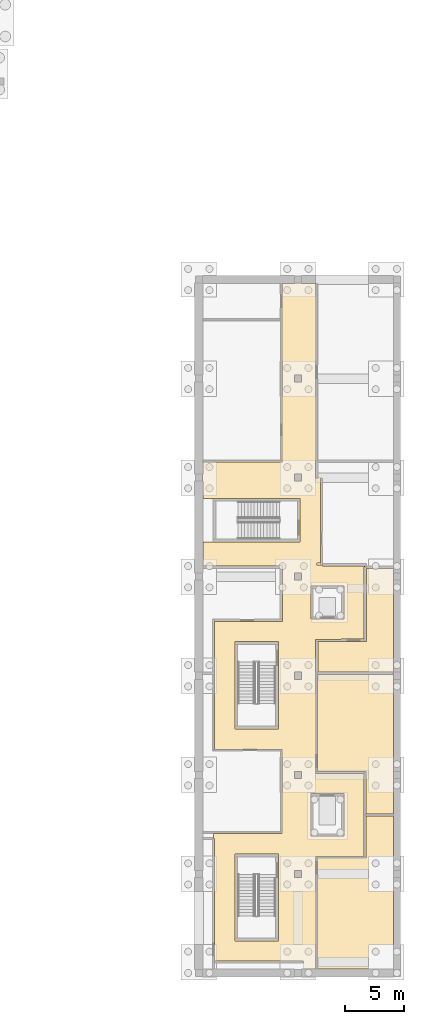
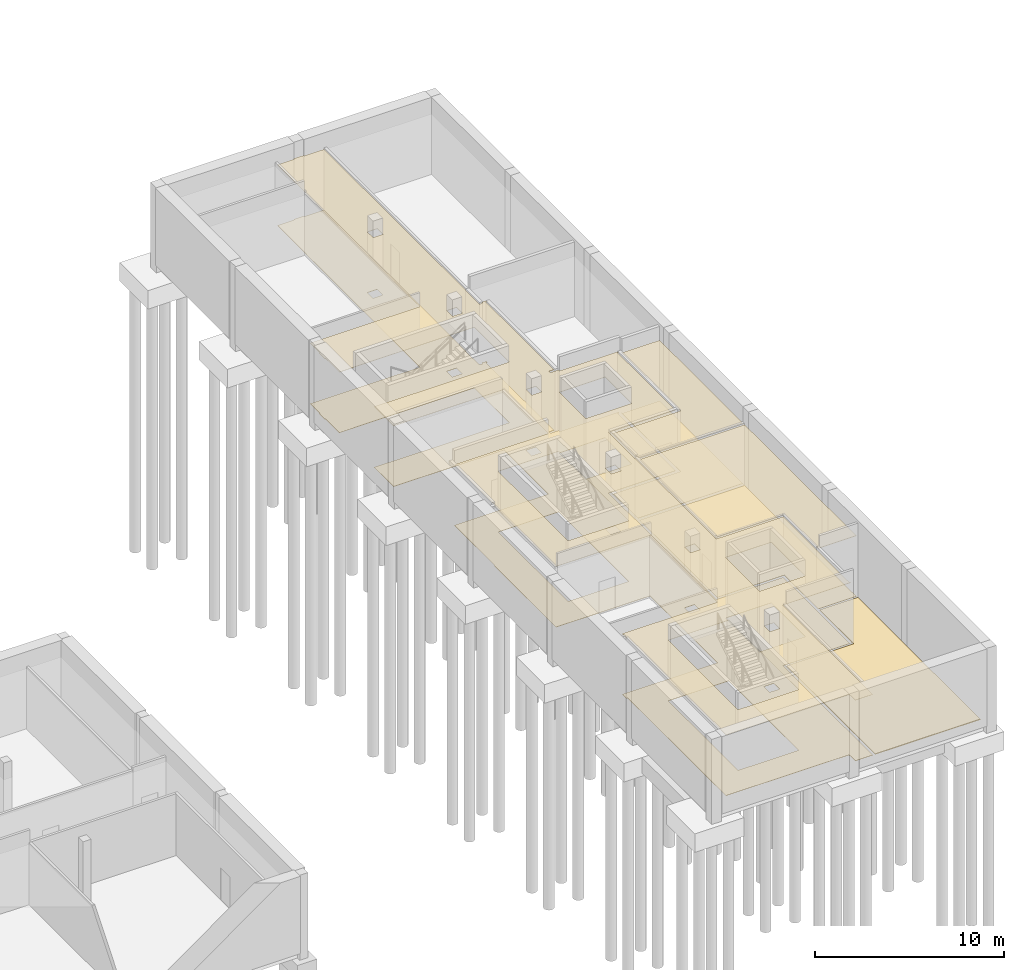
# One storey, part 25 of 33: 7 coverings.
"""IFC4 building model written with IfcOpenShell, lengths in metres."""

from ifc_helpers import new_model, si_unit, direction, frame, origin, place, context, subcontext, project, spatial, polyline, outline, extrude, material, layer, layer_set, type_object, element, save


model = new_model("IFC4")

# Units and contexts
model_context = context("Model", 3, precision=1e-05, world=origin(), true_north=direction((0.0, 1.0)))
body_context = subcontext(model_context, "Body", "Model", "MODEL_VIEW")
ifc_project = project(units=[si_unit("LENGTHUNIT", "METRE"), si_unit("AREAUNIT", "SQUARE_METRE"), si_unit("VOLUMEUNIT", "CUBIC_METRE"), si_unit("PLANEANGLEUNIT", "RADIAN"), si_unit("MASSUNIT", "GRAM", prefix="KILO")], contexts=[model_context])

# Site, building, storey
site_placement = place(None, origin())
site = spatial("IfcSite", under=ifc_project, at=site_placement, CompositionType="ELEMENT")
building_placement = place(site_placement, origin())
building = spatial("IfcBuilding", under=site, at=building_placement, Name="Larchfold Concert Hall", CompositionType="ELEMENT")
storey_placement = place(building_placement, frame((0.0, 0.0, -5.0)))
storey = spatial("IfcBuildingStorey", under=building, at=storey_placement, Name="B1", CompositionType="ELEMENT", Elevation=-5.0)

# Coverings
ifc_material_1 = material(Name="Mineral fibre ceiling tile")
ifc_layer_1 = layer(ifc_material_1, 0.02001953125)
ifc_layer_set_1 = layer_set([ifc_layer_1], Name="Mineral fibre ceiling tile")
covering_type_1 = type_object("IfcCoveringType", Name="Ceiling mineral fibre tile 20", PredefinedType="CEILING", material=ifc_layer_set_1)
covering_1_placement = place(storey_placement, frame((0.0, 0.0, 3.920166015625)))
element("IfcCovering", 1, at=covering_1_placement, inside=storey, type_object=covering_type_1, Name="Ceiling Costume Store", PredefinedType="CEILING", context=body_context, shape_type="SweptSolid", body=[
    extrude(outline(polyline([(101.099853515625, 26.0), (101.079833984375, 26.0), (101.079833984375, 25.89990234375), (94.675048828125, 25.89990234375), (94.675048828125, 17.675048828125), (98.77490234375, 17.675048828125), (98.77490234375, 14.074951171875), (101.099853515625, 14.074951171875), (101.099853515625, 26.0)])), origin(), (0.0, 0.0, 1.0), 0.02001953125),
])
covering_2_placement = place(storey_placement, frame((0.0, 0.0, 3.920166015625)))
element("IfcCovering", 2, at=covering_2_placement, inside=storey, type_object=covering_type_1, Name="Ceiling Corridor 01", PredefinedType="CEILING", context=body_context, shape_type="SweptSolid", body=[
    extrude(outline(polyline([(85.800048828125, 37.14990234375), (85.800048828125, 37.160888671875), (84.9501953125, 37.159912109375), (84.9501953125, 35.10009765625), (91.7001953125, 35.091064453125), (91.697021484375, 30.40087890625), (85.951171875, 30.39892578125), (85.951171875, 26.10009765625), (85.91259765625, 26.10009765625), (85.91259765625, 19.5625), (91.66259765625, 19.5625), (91.66259765625, 12.4375), (85.850830078125, 12.4375), (85.850830078125, 12.0), (85.925048828125, 12.0), (85.925048828125, 1.595947265625), (93.445068359375, 1.594970703125), (93.445068359375, 1.489501953125), (93.464599609375, 1.4697265625), (93.4638671875, 0.9501953125), (94.525146484375, 0.9501953125), (94.525146484375, 10.47509765625), (98.698974609375, 10.474853515625), (98.698974609375, 10.47509765625), (98.625, 10.47509765625), (98.625, 17.525146484375), (94.52490234375, 17.525146484375), (94.525146484375, 26.10009765625), (94.4990234375, 26.10009765625), (94.498779296875, 28.890869140625), (98.598876953125, 28.90087890625), (98.598876953125, 35.02001953125), (98.698974609375, 35.02001953125), (98.698974609375, 35.098876953125), (95.0986328125, 35.107666015625), (95.098876953125, 35.20751953125), (94.59912109375, 35.208740234375), (94.605712890625, 35.35009765625), (94.89892578125, 35.3505859375), (94.89892578125, 42.549072265625), (94.9990234375, 42.549072265625), (94.9990234375, 42.649169921875), (94.69921875, 42.65673828125), (94.69921875, 42.55908203125), (94.4990234375, 42.55908203125), (94.4990234375, 44.02001953125), (94.524169921875, 44.02001953125), (94.525146484375, 59.0498046875), (93.300048828125, 59.0498046875), (93.300048828125, 59.099853515625), (92.699951171875, 59.099853515625), (92.699951171875, 59.0498046875), (91.675048828125, 59.0498046875), (91.675048828125, 55.97998046875), (91.66259765625, 55.97998046875), (91.66162109375, 43.941650390625), (84.9501953125, 43.9375), (84.9501953125, 42.89990234375), (84.900146484375, 42.89990234375), (84.900146484375, 42.300048828125), (84.9501953125, 42.300048828125), (84.9501953125, 40.838623046875), (85.800048828125, 40.83984375), (85.800048828125, 40.85009765625), (93.199951171875, 40.85009765625), (93.199951171875, 37.14990234375), (85.800048828125, 37.14990234375)]), holes=[polyline([(96.89990234375, 15.800048828125), (96.89990234375, 12.199951171875), (94.10009765625, 12.199951171875), (94.10009765625, 15.800048828125), (96.89990234375, 15.800048828125)]), polyline([(96.89990234375, 33.39990234375), (96.89990234375, 30.60009765625), (94.10009765625, 30.60009765625), (94.10009765625, 33.39990234375), (96.89990234375, 33.39990234375)]), polyline([(92.699951171875, 8.699951171875), (92.699951171875, 9.300048828125), (93.300048828125, 9.300048828125), (93.300048828125, 8.699951171875), (92.699951171875, 8.699951171875)]), polyline([(92.699951171875, 17.099853515625), (92.699951171875, 17.699951171875), (93.300048828125, 17.699951171875), (93.300048828125, 17.099853515625), (92.699951171875, 17.099853515625)]), polyline([(92.699951171875, 25.5), (92.699951171875, 26.10009765625), (93.300048828125, 26.10009765625), (93.300048828125, 25.5), (92.699951171875, 25.5)]), polyline([(92.699951171875, 33.89990234375), (92.699951171875, 34.5), (93.300048828125, 34.5), (93.300048828125, 33.89990234375), (92.699951171875, 33.89990234375)]), polyline([(92.699951171875, 42.300048828125), (92.699951171875, 42.900146484375), (93.300048828125, 42.900146484375), (93.300048828125, 42.300048828125), (92.699951171875, 42.300048828125)]), polyline([(92.699951171875, 50.699951171875), (92.699951171875, 51.300048828125), (93.300048828125, 51.300048828125), (93.300048828125, 50.699951171875), (92.699951171875, 50.699951171875)]), polyline([(91.35009765625, 3.300048828125), (87.64990234375, 3.300048828125), (87.64990234375, 10.696044921875), (91.35009765625, 10.699951171875), (91.35009765625, 3.300048828125)]), polyline([(91.35009765625, 21.300048828125), (87.64990234375, 21.300048828125), (87.64990234375, 28.696044921875), (91.35009765625, 28.699951171875), (91.35009765625, 21.300048828125)])]), origin(), (0.0, 0.0, 1.0), 0.02001953125),
])
ifc_material_2 = material(Name="Plasterboard ceiling lining")
ifc_layer_2 = layer(ifc_material_2, 0.030029296875)
ifc_layer_set_2 = layer_set([ifc_layer_2], Name="Plasterboard ceiling lining")
covering_type_2 = type_object("IfcCoveringType", Name="Ceiling suspended plasterboard 30", PredefinedType="CEILING", material=ifc_layer_set_2)
covering_3_placement = place(storey_placement, frame((0.0, 0.0, 3.91015625)))
element("IfcCovering", 3, at=covering_3_placement, inside=storey, type_object=covering_type_2, Name="Ceiling Warm-up Room 03", PredefinedType="CEILING", context=body_context, shape_type="SweptSolid", body=[
    extrude(outline(polyline([(94.60009765625, 28.69091796875), (94.69921875, 28.69091796875), (94.69921875, 26.10009765625), (101.079833984375, 26.10009765625), (101.079833984375, 26.0), (101.099853515625, 26.0), (101.099853515625, 34.89990234375), (98.800048828125, 34.89990234375), (98.799072265625, 35.0), (98.799072265625, 28.700927734375), (94.60009765625, 28.69091796875)])), origin(), (0.0, 0.0, 1.0), 0.030029296875),
])
ifc_material_3 = material(Name="Sealed cement screed")
ifc_layer_3 = layer(ifc_material_3, 0.050048828125)
ifc_layer_set_3 = layer_set([ifc_layer_3], Name="Sealed cement screed")
covering_type_3 = type_object("IfcCoveringType", Name="Floor finish sealed screed 50", PredefinedType="FLOORING", material=ifc_layer_set_3)
covering_4_placement = place(storey_placement, origin())
element("IfcCovering", 4, at=covering_4_placement, inside=storey, type_object=covering_type_3, Name="Floor finish Artists' Plant Room", PredefinedType="FLOORING", context=body_context, shape_type="SweptSolid", body=[
    extrude(outline(polyline([(101.099853515625, 0.9501953125), (101.099853515625, 13.925048828125), (98.77490234375, 13.925048828125), (98.77490234375, 10.47509765625), (98.699951171875, 10.474853515625), (98.77490234375, 10.474853515625), (98.77490234375, 10.324951171875), (94.675048828125, 10.324951171875), (94.675048828125, 0.9501953125), (101.099853515625, 0.9501953125)])), origin(), (0.0, 0.0, 1.0), 0.050048828125),
])
ifc_material_4 = material(Name="Linoleum sheet")
ifc_layer_4 = layer(ifc_material_4, 0.02001953125)
ifc_layer_set_4 = layer_set([ifc_layer_4], Name="Linoleum sheet")
covering_type_4 = type_object("IfcCoveringType", Name="Floor finish vinyl 20", PredefinedType="FLOORING", material=ifc_layer_set_4)
covering_5_placement = place(storey_placement, origin())
element("IfcCovering", 5, at=covering_5_placement, inside=storey, type_object=covering_type_4, Name="Floor finish Costume Store", PredefinedType="FLOORING", context=body_context, shape_type="SweptSolid", body=[
    extrude(outline(polyline([(101.099853515625, 26.0), (101.079833984375, 26.0), (101.079833984375, 25.89990234375), (94.675048828125, 25.89990234375), (94.675048828125, 17.675048828125), (98.77490234375, 17.675048828125), (98.77490234375, 14.074951171875), (101.099853515625, 14.074951171875), (101.099853515625, 26.0)])), origin(), (0.0, 0.0, 1.0), 0.02001953125),
])
covering_6_placement = place(storey_placement, origin())
element("IfcCovering", 6, at=covering_6_placement, inside=storey, type_object=covering_type_4, Name="Floor finish Corridor 01", PredefinedType="FLOORING", context=body_context, shape_type="SweptSolid", body=[
    extrude(outline(polyline([(85.800048828125, 37.14990234375), (85.800048828125, 37.160888671875), (84.9501953125, 37.159912109375), (84.9501953125, 35.10009765625), (91.7001953125, 35.091064453125), (91.697021484375, 30.40087890625), (85.951171875, 30.39892578125), (85.951171875, 26.10009765625), (85.91259765625, 26.10009765625), (85.91259765625, 19.5625), (91.66259765625, 19.5625), (91.66259765625, 12.4375), (85.850830078125, 12.4375), (85.850830078125, 12.0), (85.925048828125, 12.0), (85.925048828125, 1.595947265625), (93.445068359375, 1.594970703125), (93.445068359375, 1.489501953125), (93.464599609375, 1.4697265625), (93.4638671875, 0.9501953125), (94.525146484375, 0.9501953125), (94.525146484375, 10.47509765625), (98.698974609375, 10.474853515625), (98.698974609375, 10.47509765625), (98.625, 10.47509765625), (98.625, 17.525146484375), (94.52490234375, 17.525146484375), (94.525146484375, 26.10009765625), (94.4990234375, 26.10009765625), (94.498779296875, 28.890869140625), (98.598876953125, 28.90087890625), (98.598876953125, 35.02001953125), (98.698974609375, 35.02001953125), (98.698974609375, 35.098876953125), (95.0986328125, 35.107666015625), (95.098876953125, 35.20751953125), (94.59912109375, 35.208740234375), (94.605712890625, 35.35009765625), (94.89892578125, 35.3505859375), (94.89892578125, 42.549072265625), (94.9990234375, 42.549072265625), (94.9990234375, 42.649169921875), (94.69921875, 42.65673828125), (94.69921875, 42.55908203125), (94.4990234375, 42.55908203125), (94.4990234375, 44.02001953125), (94.524169921875, 44.02001953125), (94.525146484375, 59.0498046875), (93.300048828125, 59.0498046875), (93.300048828125, 59.099853515625), (92.699951171875, 59.099853515625), (92.699951171875, 59.0498046875), (91.675048828125, 59.0498046875), (91.675048828125, 55.97998046875), (91.66259765625, 55.97998046875), (91.66162109375, 43.941650390625), (84.9501953125, 43.9375), (84.9501953125, 42.89990234375), (84.900146484375, 42.89990234375), (84.900146484375, 42.300048828125), (84.9501953125, 42.300048828125), (84.9501953125, 40.838623046875), (85.800048828125, 40.83984375), (85.800048828125, 40.85009765625), (93.199951171875, 40.85009765625), (93.199951171875, 37.14990234375), (85.800048828125, 37.14990234375)]), holes=[polyline([(96.89990234375, 15.800048828125), (96.89990234375, 12.199951171875), (94.10009765625, 12.199951171875), (94.10009765625, 15.800048828125), (96.89990234375, 15.800048828125)]), polyline([(96.89990234375, 33.39990234375), (96.89990234375, 30.60009765625), (94.10009765625, 30.60009765625), (94.10009765625, 33.39990234375), (96.89990234375, 33.39990234375)]), polyline([(92.699951171875, 8.699951171875), (92.699951171875, 9.300048828125), (93.300048828125, 9.300048828125), (93.300048828125, 8.699951171875), (92.699951171875, 8.699951171875)]), polyline([(92.699951171875, 17.099853515625), (92.699951171875, 17.699951171875), (93.300048828125, 17.699951171875), (93.300048828125, 17.099853515625), (92.699951171875, 17.099853515625)]), polyline([(92.699951171875, 25.5), (92.699951171875, 26.10009765625), (93.300048828125, 26.10009765625), (93.300048828125, 25.5), (92.699951171875, 25.5)]), polyline([(92.699951171875, 33.89990234375), (92.699951171875, 34.5), (93.300048828125, 34.5), (93.300048828125, 33.89990234375), (92.699951171875, 33.89990234375)]), polyline([(92.699951171875, 42.300048828125), (92.699951171875, 42.900146484375), (93.300048828125, 42.900146484375), (93.300048828125, 42.300048828125), (92.699951171875, 42.300048828125)]), polyline([(92.699951171875, 50.699951171875), (92.699951171875, 51.300048828125), (93.300048828125, 51.300048828125), (93.300048828125, 50.699951171875), (92.699951171875, 50.699951171875)]), polyline([(91.35009765625, 3.300048828125), (87.64990234375, 3.300048828125), (87.64990234375, 10.696044921875), (91.35009765625, 10.699951171875), (91.35009765625, 3.300048828125)]), polyline([(91.35009765625, 21.300048828125), (87.64990234375, 21.300048828125), (87.64990234375, 28.696044921875), (91.35009765625, 28.699951171875), (91.35009765625, 21.300048828125)])]), origin(), (0.0, 0.0, 1.0), 0.02001953125),
])
covering_7_placement = place(storey_placement, origin())
element("IfcCovering", 7, at=covering_7_placement, inside=storey, type_object=covering_type_4, Name="Floor finish Warm-up Room 03", PredefinedType="FLOORING", context=body_context, shape_type="SweptSolid", body=[
    extrude(outline(polyline([(94.60009765625, 28.69091796875), (94.69921875, 28.69091796875), (94.69921875, 26.10009765625), (101.079833984375, 26.10009765625), (101.079833984375, 26.0), (101.099853515625, 26.0), (101.099853515625, 34.89990234375), (98.800048828125, 34.89990234375), (98.799072265625, 35.0), (98.799072265625, 28.700927734375), (94.60009765625, 28.69091796875)])), origin(), (0.0, 0.0, 1.0), 0.02001953125),
])

save(model, "model.ifc")
